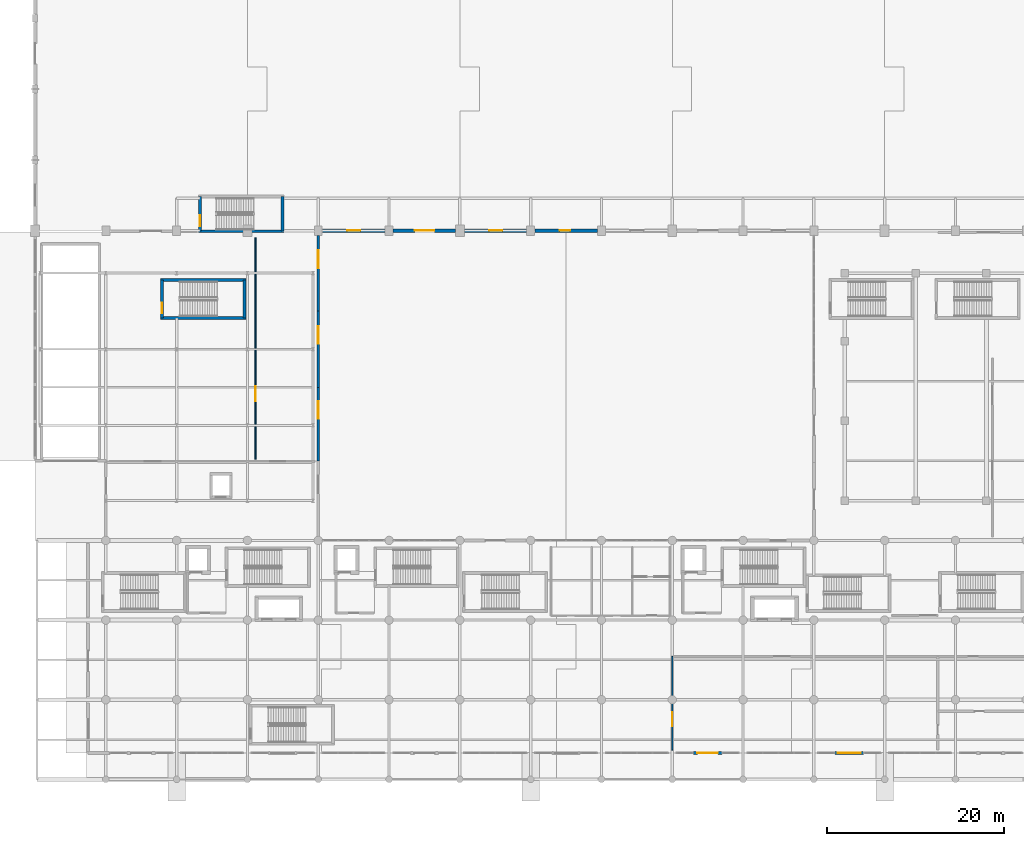
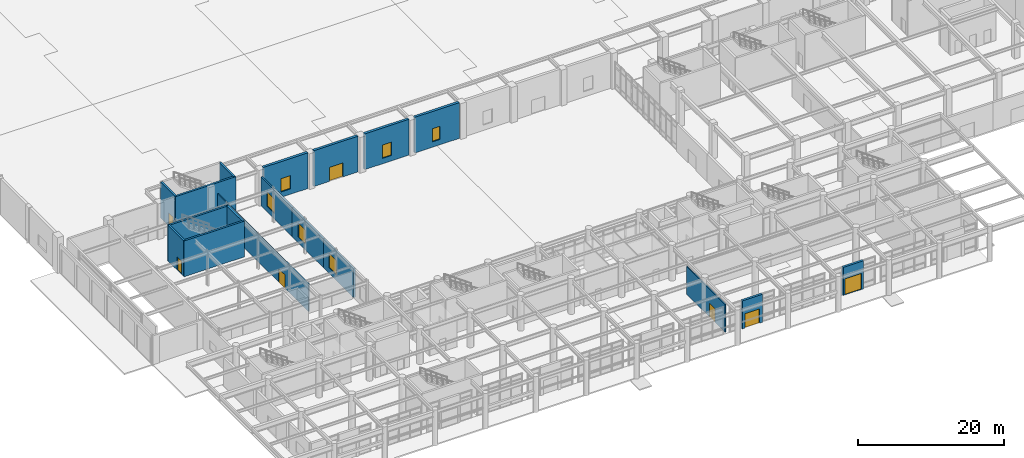
# One storey, part 30 of 49: 18 walls, 7 doors, 6 windows, 13 openings.
"""IFC4 building model written with IfcOpenShell, lengths in metres."""

from ifc_helpers import new_model, si_unit, direction, frame, frame_2d, origin, place, context, subcontext, project, spatial, rectangle, extrude, material, layer, layer_set, type_object, element, fill, save


model = new_model("IFC4")

# Units and contexts
model_context = context("Model", 3, precision=1e-05, world=origin(), true_north=direction((0.0, 1.0)))
body_context = subcontext(model_context, "Body", "Model", "MODEL_VIEW")
ifc_project = project(units=[si_unit("LENGTHUNIT", "METRE"), si_unit("AREAUNIT", "SQUARE_METRE"), si_unit("VOLUMEUNIT", "CUBIC_METRE"), si_unit("PLANEANGLEUNIT", "RADIAN"), si_unit("MASSUNIT", "GRAM", prefix="KILO")], contexts=[model_context])

# Site, building, storey
site_placement = place(None, origin())
site = spatial("IfcSite", under=ifc_project, at=site_placement, CompositionType="ELEMENT")
building_placement = place(site_placement, origin())
building = spatial("IfcBuilding", under=site, at=building_placement, Name="Tlacozan Convention Centre", CompositionType="ELEMENT")
storey_placement = place(building_placement, origin())
storey = spatial("IfcBuildingStorey", under=building, at=storey_placement, Name="L00", CompositionType="ELEMENT", Elevation=0.0)

# Wall, opening, door
ifc_material_1 = material(Name="Volcanic Cantera Stone Masonry", Category="masonry")
ifc_layer_1 = layer(ifc_material_1, 0.35009765625)
ifc_layer_set_1 = layer_set([ifc_layer_1], Name="Volcanic Cantera Stone Masonry")
wall_type_1 = type_object("IfcWallType", Name="Cantera Cavity Facade Wall 350", PredefinedType="SOLIDWALL", material=ifc_layer_set_1)
wall_1_placement = place(storey_placement, frame((74.39990234375, 3.0, 0.0), z_axis=(0.0, 0.0, 1.0), x_axis=(1.0, 0.0, 0.0)))
wall_1 = element("IfcWall", 1, at=wall_1_placement, inside=storey, type_object=wall_type_1, Name="L00 Cantera Cavity Facade Wall 350 99", PredefinedType="SOLIDWALL", context=body_context, shape_type="SweptSolid", body=[
    extrude(rectangle(XDim=3.2001953125, YDim=0.35009765625, at=frame_2d((1.60009765625, 0.0))), origin(), (0.0, 0.0, 1.0), 4.699951171875),
])
opening_1_placement = place(wall_1_placement, frame((0.449951171875, 0.0, 0.0)))
opening_1 = element("IfcOpeningElement", 2, at=opening_1_placement, cuts=wall_1, Name="Opening EX-D1", PredefinedType="OPENING", context=body_context, shape_type="SweptSolid", body=[
    extrude(rectangle(XDim=2.300048828125, YDim=2.39990234375, at=frame_2d((1.14990234375, 1.199951171875))), frame((0.0, 0.18505859375, 0.0), z_axis=(0.0, -1.0, 0.0), x_axis=(1.0, 0.0, 0.0)), (0.0, 0.0, 1.0), 0.3701171875),
])
ifc_material_2 = material(Name="Thermally Broken Anodised Aluminium Door", Category="aluminium")
door_type_1 = type_object("IfcDoorType", Name="Pedestrian Final Exit Double Door 2300x2400", OperationType="DOUBLE_DOOR_SINGLE_SWING", PredefinedType="DOOR", material=ifc_material_2)
door_1_placement = place(opening_1_placement, frame((2.300048828125, 0.0, 0.0), z_axis=(0.0, 0.0, 1.0), x_axis=(-1.0, 0.0, 0.0)))
door_1 = element("IfcDoor", 3, at=door_1_placement, inside=storey, type_object=door_type_1, Name="Main Promenade Entrance E-09", OperationType="DOUBLE_DOOR_SINGLE_SWING", OverallHeight=2.39990234375, OverallWidth=2.300048828125, PredefinedType="DOOR", context=body_context, shape_type="SweptSolid", body=[
    extrude(rectangle(XDim=2.300048828125, YDim=2.39990234375, at=frame_2d((1.14990234375, 1.199951171875))), frame((0.0, 0.02490234375, 0.0), z_axis=(0.0, -1.0, 0.0), x_axis=(1.0, 0.0, 0.0)), (0.0, 0.0, 1.0), 0.050048828125),
])
fill(opening_1, door_1)

wall_2_placement = place(storey_placement, frame((90.39990234375, 3.0, 0.0), z_axis=(0.0, 0.0, 1.0), x_axis=(1.0, 0.0, 0.0)))
wall_2 = element("IfcWall", 4, at=wall_2_placement, inside=storey, type_object=wall_type_1, Name="L00 Cantera Cavity Facade Wall 350 100", PredefinedType="SOLIDWALL", context=body_context, shape_type="SweptSolid", body=[
    extrude(rectangle(XDim=3.2001953125, YDim=0.35009765625, at=frame_2d((1.60009765625, 0.0))), origin(), (0.0, 0.0, 1.0), 4.699951171875),
])
opening_2_placement = place(wall_2_placement, frame((0.300048828125, 0.0, 0.0)))
opening_2 = element("IfcOpeningElement", 5, at=opening_2_placement, cuts=wall_2, Name="Opening EX-D2", PredefinedType="OPENING", context=body_context, shape_type="SweptSolid", body=[
    extrude(rectangle(XDim=2.60009765625, YDim=2.699951171875, at=frame_2d((1.300048828125, 1.35009765625))), frame((0.0, 0.18505859375, 0.0), z_axis=(0.0, -1.0, 0.0), x_axis=(1.0, 0.0, 0.0)), (0.0, 0.0, 1.0), 0.3701171875),
])
door_type_2 = type_object("IfcDoorType", Name="Concourse Main Entrance Double Door 2600x2700", OperationType="DOUBLE_DOOR_SINGLE_SWING", PredefinedType="DOOR", material=ifc_material_2)
door_2_placement = place(opening_2_placement, frame((2.60009765625, 0.0, 0.0), z_axis=(0.0, 0.0, 1.0), x_axis=(-1.0, 0.0, 0.0)))
door_2 = element("IfcDoor", 6, at=door_2_placement, inside=storey, type_object=door_type_2, Name="Main Promenade Entrance E-11", OperationType="DOUBLE_DOOR_SINGLE_SWING", OverallHeight=2.699951171875, OverallWidth=2.60009765625, PredefinedType="DOOR", context=body_context, shape_type="SweptSolid", body=[
    extrude(rectangle(XDim=2.60009765625, YDim=2.699951171875, at=frame_2d((1.300048828125, 1.35009765625))), frame((0.0, 0.02490234375, 0.0), z_axis=(0.0, -1.0, 0.0), x_axis=(1.0, 0.0, 0.0)), (0.0, 0.0, 1.0), 0.050048828125),
])
fill(opening_2, door_2)

# Wall, opening, window
ifc_material_3 = material(Name="Concrete C40/50", Category="concrete")
ifc_layer_2 = layer(ifc_material_3, 0.39990234375)
ifc_layer_set_2 = layer_set([ifc_layer_2], Name="Concrete C40/50")
wall_type_2 = type_object("IfcWallType", Name="Cantera Structural Hall Wall 400", PredefinedType="SOLIDWALL", material=ifc_layer_set_2)
wall_3_placement = place(storey_placement, frame((32.465087890625, 62.0, 0.0), z_axis=(0.0, 0.0, 1.0), x_axis=(1.0, 0.0, 0.0)))
wall_3 = element("IfcWall", 7, at=wall_3_placement, inside=storey, type_object=wall_type_2, Name="L00 Cantera Structural Hall Wall 400 87", PredefinedType="SOLIDWALL", context=body_context, shape_type="SweptSolid", body=[
    extrude(rectangle(XDim=7.06982421875, YDim=0.39990234375, at=frame_2d((3.534912109375, 0.0))), origin(), (0.0, 0.0, 1.0), 6.0),
])
opening_3_placement = place(wall_3_placement, frame((2.800048828125, 0.0, 0.89990234375)))
opening_3 = element("IfcOpeningElement", 8, at=opening_3_placement, cuts=wall_3, Name="Opening WN-09", PredefinedType="OPENING", context=body_context, shape_type="SweptSolid", body=[
    extrude(rectangle(XDim=1.5, YDim=2.25, at=frame_2d((0.75, 1.125))), frame((0.0, 0.2099609375, 0.0), z_axis=(0.0, -1.0, 0.0), x_axis=(1.0, 0.0, 0.0)), (0.0, 0.0, 1.0), 0.419921875),
])
ifc_material_4 = material(Name="Solar Control Double Low-E Argon Glazing", Category="glass")
window_type_1 = type_object("IfcWindowType", Name="Courtyard Wide Slot Window 1500x2250", PartitioningType="SINGLE_PANEL", PredefinedType="WINDOW", material=ifc_material_4)
window_1_placement = place(opening_3_placement, origin())
window_1 = element("IfcWindow", 9, at=window_1_placement, inside=storey, type_object=window_type_1, Name="L00 Courtyard Wide Slot Window 1500x2250 41", OverallHeight=2.25, OverallWidth=1.5, PartitioningType="SINGLE_PANEL", PredefinedType="WINDOW", context=body_context, shape_type="SweptSolid", body=[
    extrude(rectangle(XDim=1.5, YDim=2.25, at=frame_2d((0.75, 1.125))), frame((0.0, 0.030029296875, 0.0), z_axis=(0.0, -1.0, 0.0), x_axis=(1.0, 0.0, 0.0)), (0.0, 0.0, 1.0), 0.06005859375),
])
fill(opening_3, window_1)

# Wall, opening, door
wall_4_placement = place(storey_placement, frame((40.465087890625, 62.0, 0.0), z_axis=(0.0, 0.0, 1.0), x_axis=(1.0, 0.0, 0.0)))
wall_4 = element("IfcWall", 10, at=wall_4_placement, inside=storey, type_object=wall_type_2, Name="L00 Cantera Structural Hall Wall 400 88", PredefinedType="SOLIDWALL", context=body_context, shape_type="SweptSolid", body=[
    extrude(rectangle(XDim=7.02001953125, YDim=0.39990234375, at=frame_2d((3.510009765625, 0.0))), origin(), (0.0, 0.0, 1.0), 6.0),
])
opening_4_placement = place(wall_4_placement, frame((2.449951171875, 0.0, 0.0)))
opening_4 = element("IfcOpeningElement", 11, at=opening_4_placement, cuts=wall_4, Name="Opening EX-D4", PredefinedType="OPENING", context=body_context, shape_type="SweptSolid", body=[
    extrude(rectangle(XDim=2.199951171875, YDim=2.35009765625, at=frame_2d((1.10009765625, 1.175048828125))), frame((0.0, 0.2099609375, 0.0), z_axis=(0.0, -1.0, 0.0), x_axis=(1.0, 0.0, 0.0)), (0.0, 0.0, 1.0), 0.419921875),
])
door_type_3 = type_object("IfcDoorType", Name="Courtyard Cloister Exit Door 2200x2350", OperationType="DOUBLE_DOOR_SINGLE_SWING", PredefinedType="DOOR", material=ifc_material_2)
door_3_placement = place(opening_4_placement, frame((2.199951171875, 0.0, 0.0), z_axis=(0.0, 0.0, 1.0), x_axis=(-1.0, 0.0, 0.0)))
door_3 = element("IfcDoor", 12, at=door_3_placement, inside=storey, type_object=door_type_3, Name="Final Pedestrian Exit EX-15", OperationType="DOUBLE_DOOR_SINGLE_SWING", OverallHeight=2.35009765625, OverallWidth=2.199951171875, PredefinedType="DOOR", context=body_context, shape_type="SweptSolid", body=[
    extrude(rectangle(XDim=2.199951171875, YDim=2.35009765625, at=frame_2d((1.10009765625, 1.175048828125))), frame((0.0, 0.02490234375, 0.0), z_axis=(0.0, -1.0, 0.0), x_axis=(1.0, 0.0, 0.0)), (0.0, 0.0, 1.0), 0.050048828125),
])
fill(opening_4, door_3)

# Wall, opening, window
wall_5_placement = place(storey_placement, frame((48.514892578125, 62.0, 0.0), z_axis=(0.0, 0.0, 1.0), x_axis=(1.0, 0.0, 0.0)))
wall_5 = element("IfcWall", 13, at=wall_5_placement, inside=storey, type_object=wall_type_2, Name="L00 Cantera Structural Hall Wall 400 89", PredefinedType="SOLIDWALL", context=body_context, shape_type="SweptSolid", body=[
    extrude(rectangle(XDim=7.02001953125, YDim=0.39990234375, at=frame_2d((3.510009765625, 0.0))), origin(), (0.0, 0.0, 1.0), 6.0),
])
opening_5_placement = place(wall_5_placement, frame((2.800048828125, 0.0, 0.89990234375)))
opening_5 = element("IfcOpeningElement", 14, at=opening_5_placement, cuts=wall_5, Name="Opening WN-09", PredefinedType="OPENING", context=body_context, shape_type="SweptSolid", body=[
    extrude(rectangle(XDim=1.5, YDim=2.25, at=frame_2d((0.75, 1.125))), frame((0.0, 0.2099609375, 0.0), z_axis=(0.0, -1.0, 0.0), x_axis=(1.0, 0.0, 0.0)), (0.0, 0.0, 1.0), 0.419921875),
])
window_2_placement = place(opening_5_placement, origin())
window_2 = element("IfcWindow", 15, at=window_2_placement, inside=storey, type_object=window_type_1, Name="L00 Courtyard Wide Slot Window 1500x2250 42", OverallHeight=2.25, OverallWidth=1.5, PartitioningType="SINGLE_PANEL", PredefinedType="WINDOW", context=body_context, shape_type="SweptSolid", body=[
    extrude(rectangle(XDim=1.5, YDim=2.25, at=frame_2d((0.75, 1.125))), frame((0.0, 0.030029296875, 0.0), z_axis=(0.0, -1.0, 0.0), x_axis=(1.0, 0.0, 0.0)), (0.0, 0.0, 1.0), 0.06005859375),
])
fill(opening_5, window_2)

wall_6_placement = place(storey_placement, frame((56.465087890625, 62.0, 0.0), z_axis=(0.0, 0.0, 1.0), x_axis=(1.0, 0.0, 0.0)))
wall_6 = element("IfcWall", 16, at=wall_6_placement, inside=storey, type_object=wall_type_2, Name="L00 Cantera Structural Hall Wall 400 90", PredefinedType="SOLIDWALL", context=body_context, shape_type="SweptSolid", body=[
    extrude(rectangle(XDim=7.06982421875, YDim=0.39990234375, at=frame_2d((3.534912109375, 0.0))), origin(), (0.0, 0.0, 1.0), 6.0),
])
opening_6_placement = place(wall_6_placement, frame((2.800048828125, 0.0, 0.89990234375)))
opening_6 = element("IfcOpeningElement", 17, at=opening_6_placement, cuts=wall_6, Name="Opening WN-08", PredefinedType="OPENING", context=body_context, shape_type="SweptSolid", body=[
    extrude(rectangle(XDim=1.199951171875, YDim=2.199951171875, at=frame_2d((0.60009765625, 1.10009765625))), frame((0.0, 0.2099609375, 0.0), z_axis=(0.0, -1.0, 0.0), x_axis=(1.0, 0.0, 0.0)), (0.0, 0.0, 1.0), 0.419921875),
])
window_type_2 = type_object("IfcWindowType", Name="Courtyard Slot Window 1200x2200", PartitioningType="SINGLE_PANEL", PredefinedType="WINDOW", material=ifc_material_4)
window_3_placement = place(opening_6_placement, origin())
window_3 = element("IfcWindow", 18, at=window_3_placement, inside=storey, type_object=window_type_2, Name="L00 Courtyard Slot Window 1200x2200 43", OverallHeight=2.199951171875, OverallWidth=1.199951171875, PartitioningType="SINGLE_PANEL", PredefinedType="WINDOW", context=body_context, shape_type="SweptSolid", body=[
    extrude(rectangle(XDim=1.199951171875, YDim=2.199951171875, at=frame_2d((0.60009765625, 1.10009765625))), frame((0.0, 0.030029296875, 0.0), z_axis=(0.0, -1.0, 0.0), x_axis=(1.0, 0.0, 0.0)), (0.0, 0.0, 1.0), 0.06005859375),
])
fill(opening_6, window_3)

# Wall, opening, door
ifc_material_5 = material(Name="Acoustic Double-Stud Partition Assembly")
ifc_layer_3 = layer(ifc_material_5, 0.159912109375)
ifc_layer_set_3 = layer_set([ifc_layer_3], Name="Acoustic Double-Stud Partition Assembly")
wall_type_3 = type_object("IfcWallType", Name="Meeting Acoustic Partition 160", PredefinedType="PARTITIONING", material=ifc_layer_set_3)
wall_7_placement = place(storey_placement, frame((72.0, 3.300048828125, 0.0), z_axis=(0.0, 0.0, 1.0), x_axis=(0.0, 1.0, 0.0)))
wall_7 = element("IfcWall", 19, at=wall_7_placement, inside=storey, type_object=wall_type_3, Name="L00 Meeting Acoustic Partition 160 572", PredefinedType="PARTITIONING", context=body_context, shape_type="SweptSolid", body=[
    extrude(rectangle(XDim=10.599853515625, YDim=0.159912109375, at=frame_2d((5.2998046875, 0.0))), origin(), (0.0, 0.0, 1.0), 4.64990234375),
])
opening_7_placement = place(wall_7_placement, frame((2.699951171875, 0.0, 0.0)))
opening_7 = element("IfcOpeningElement", 20, at=opening_7_placement, cuts=wall_7, Name="Opening ID-07", PredefinedType="OPENING", context=body_context, shape_type="SweptSolid", body=[
    extrude(rectangle(XDim=1.60009765625, YDim=2.300048828125, at=frame_2d((0.800048828125, 1.14990234375))), frame((0.0, 0.08984375, 0.0), z_axis=(0.0, -1.0, 0.0), x_axis=(1.0, 0.0, 0.0)), (0.0, 0.0, 1.0), 0.179931640625),
])
ifc_material_6 = material(Name="Acoustic Solid-Core Oak Veneer Door")
door_type_4 = type_object("IfcDoorType", Name="Conference Double Door 1600x2300", OperationType="DOUBLE_DOOR_SINGLE_SWING", PredefinedType="DOOR", material=ifc_material_6)
door_4_placement = place(opening_7_placement, origin())
door_4 = element("IfcDoor", 21, at=door_4_placement, inside=storey, type_object=door_type_4, Name="L00 Conference Double Door 1600x2300 158", OperationType="DOUBLE_DOOR_SINGLE_SWING", OverallHeight=2.300048828125, OverallWidth=1.60009765625, PredefinedType="DOOR", context=body_context, shape_type="SweptSolid", body=[
    extrude(rectangle(XDim=1.60009765625, YDim=2.300048828125, at=frame_2d((0.800048828125, 1.14990234375))), frame((0.0, 0.02490234375, 0.0), z_axis=(0.0, -1.0, 0.0), x_axis=(1.0, 0.0, 0.0)), (0.0, 0.0, 1.0), 0.050048828125),
])
fill(opening_7, door_4)

# Wall, opening, window
ifc_material_7 = material(Name="Pale Lime-Render Masonry Assembly", Category="masonry")
ifc_layer_4 = layer(ifc_material_7, 0.280029296875)
ifc_layer_set_4 = layer_set([ifc_layer_4], Name="Pale Lime-Render Masonry Assembly")
wall_type_4 = type_object("IfcWallType", Name="Pale-Render Service Wing Wall 280", PredefinedType="SOLIDWALL", material=ifc_layer_set_4)
wall_8_placement = place(storey_placement, frame((32.0, 36.0, 0.0), z_axis=(0.0, 0.0, 1.0), x_axis=(0.0, 1.0, 0.0)))
wall_8 = element("IfcWall", 22, at=wall_8_placement, inside=storey, type_object=wall_type_4, Name="L00 Pale-Render Service Wing Wall 280 203", PredefinedType="SOLIDWALL", context=body_context, shape_type="SweptSolid", body=[
    extrude(rectangle(XDim=8.300048828125, YDim=0.280029296875, at=frame_2d((4.14990234375, 0.0))), origin(), (0.0, 0.0, 1.0), 4.85009765625),
])
opening_8_placement = place(wall_8_placement, frame((4.75, 0.0, 0.949951171875)))
opening_8 = element("IfcOpeningElement", 23, at=opening_8_placement, cuts=wall_8, Name="Opening WN-25", PredefinedType="OPENING", context=body_context, shape_type="SweptSolid", body=[
    extrude(rectangle(XDim=2.0, YDim=2.39990234375, at=frame_2d((1.0, 1.199951171875))), frame((0.0, 0.14990234375, 0.0), z_axis=(0.0, -1.0, 0.0), x_axis=(1.0, 0.0, 0.0)), (0.0, 0.0, 1.0), 0.300048828125),
])
window_type_3 = type_object("IfcWindowType", Name="Ballroom Gallery Window 2000x2400", PartitioningType="SINGLE_PANEL", PredefinedType="WINDOW", material=ifc_material_4)
window_4_placement = place(opening_8_placement, origin())
window_4 = element("IfcWindow", 24, at=window_4_placement, inside=storey, type_object=window_type_3, Name="L00 Ballroom Gallery Window 2000x2400 69", OverallHeight=2.39990234375, OverallWidth=2.0, PartitioningType="SINGLE_PANEL", PredefinedType="WINDOW", context=body_context, shape_type="SweptSolid", body=[
    extrude(rectangle(XDim=2.0, YDim=2.39990234375, at=frame_2d((1.0, 1.199951171875))), frame((0.0, 0.030029296875, 0.0), z_axis=(0.0, -1.0, 0.0), x_axis=(1.0, 0.0, 0.0)), (0.0, 0.0, 1.0), 0.06005859375),
])
fill(opening_8, window_4)

wall_9_placement = place(storey_placement, frame((32.0, 44.300048828125, 0.0), z_axis=(0.0, 0.0, 1.0), x_axis=(0.0, 1.0, 0.0)))
wall_9 = element("IfcWall", 25, at=wall_9_placement, inside=storey, type_object=wall_type_4, Name="L00 Pale-Render Service Wing Wall 280 205", PredefinedType="SOLIDWALL", context=body_context, shape_type="SweptSolid", body=[
    extrude(rectangle(XDim=8.599853515625, YDim=0.280029296875, at=frame_2d((4.2998046875, 0.0))), origin(), (0.0, 0.0, 1.0), 4.85009765625),
])
opening_9_placement = place(wall_9_placement, frame((4.89990234375, 0.0, 0.949951171875)))
opening_9 = element("IfcOpeningElement", 26, at=opening_9_placement, cuts=wall_9, Name="Opening WN-25", PredefinedType="OPENING", context=body_context, shape_type="SweptSolid", body=[
    extrude(rectangle(XDim=2.0, YDim=2.39990234375, at=frame_2d((1.0, 1.199951171875))), frame((0.0, 0.14990234375, 0.0), z_axis=(0.0, -1.0, 0.0), x_axis=(1.0, 0.0, 0.0)), (0.0, 0.0, 1.0), 0.300048828125),
])
window_5_placement = place(opening_9_placement, origin())
window_5 = element("IfcWindow", 27, at=window_5_placement, inside=storey, type_object=window_type_3, Name="L00 Ballroom Gallery Window 2000x2400 71", OverallHeight=2.39990234375, OverallWidth=2.0, PartitioningType="SINGLE_PANEL", PredefinedType="WINDOW", context=body_context, shape_type="SweptSolid", body=[
    extrude(rectangle(XDim=2.0, YDim=2.39990234375, at=frame_2d((1.0, 1.199951171875))), frame((0.0, 0.030029296875, 0.0), z_axis=(0.0, -1.0, 0.0), x_axis=(1.0, 0.0, 0.0)), (0.0, 0.0, 1.0), 0.06005859375),
])
fill(opening_9, window_5)

wall_10_placement = place(storey_placement, frame((32.0, 52.89990234375, 0.0), z_axis=(0.0, 0.0, 1.0), x_axis=(0.0, 1.0, 0.0)))
wall_10 = element("IfcWall", 28, at=wall_10_placement, inside=storey, type_object=wall_type_4, Name="L00 Pale-Render Service Wing Wall 280 207", PredefinedType="SOLIDWALL", context=body_context, shape_type="SweptSolid", body=[
    extrude(rectangle(XDim=8.550048828125, YDim=0.280029296875, at=frame_2d((4.27490234375, 0.0))), origin(), (0.0, 0.0, 1.0), 4.85009765625),
])
opening_10_placement = place(wall_10_placement, frame((4.875, 0.0, 0.949951171875)))
opening_10 = element("IfcOpeningElement", 29, at=opening_10_placement, cuts=wall_10, Name="Opening WN-25", PredefinedType="OPENING", context=body_context, shape_type="SweptSolid", body=[
    extrude(rectangle(XDim=2.0, YDim=2.39990234375, at=frame_2d((1.0, 1.199951171875))), frame((0.0, 0.14990234375, 0.0), z_axis=(0.0, -1.0, 0.0), x_axis=(1.0, 0.0, 0.0)), (0.0, 0.0, 1.0), 0.300048828125),
])
window_6_placement = place(opening_10_placement, origin())
window_6 = element("IfcWindow", 30, at=window_6_placement, inside=storey, type_object=window_type_3, Name="L00 Ballroom Gallery Window 2000x2400 73", OverallHeight=2.39990234375, OverallWidth=2.0, PartitioningType="SINGLE_PANEL", PredefinedType="WINDOW", context=body_context, shape_type="SweptSolid", body=[
    extrude(rectangle(XDim=2.0, YDim=2.39990234375, at=frame_2d((1.0, 1.199951171875))), frame((0.0, 0.030029296875, 0.0), z_axis=(0.0, -1.0, 0.0), x_axis=(1.0, 0.0, 0.0)), (0.0, 0.0, 1.0), 0.06005859375),
])
fill(opening_10, window_6)

# Walls
ifc_layer_5 = layer(ifc_material_3, 0.31005859375)
ifc_layer_set_5 = layer_set([ifc_layer_5], Name="Concrete C40/50")
wall_type_5 = type_object("IfcWallType", Name="Stair Shaft Shear Wall RC 310", PredefinedType="SHEAR", material=ifc_layer_set_5)
for number, where, z_axis, x_axis, name in (
    (31, (14.18505859375, 52.139892578125, 0.0), (0.0, 0.0, 1.0), (1.0, 0.0, 0.0), "L00 Stair Shaft Shear Wall RC 310 473"),
    (32, (14.18505859375, 56.419921875, 0.0), (0.0, 0.0, 1.0), (1.0, 0.0, 0.0), "L00 Stair Shaft Shear Wall RC 310 474"),
):
    element("IfcWall", number, at=place(storey_placement, frame(where, z_axis=z_axis, x_axis=x_axis)), inside=storey, type_object=wall_type_5, Name=name, PredefinedType="SHEAR", context=body_context, shape_type="SweptSolid", body=[
        extrude(rectangle(XDim=9.6298828125, YDim=0.31005859375, at=frame_2d((4.81494140625, 0.0))), origin(), (0.0, 0.0, 1.0), 6.0),
    ])

# Wall, opening, door
wall_11_placement = place(storey_placement, frame((14.340087890625, 52.139892578125, 0.0), z_axis=(0.0, 0.0, 1.0), x_axis=(0.0, 1.0, 0.0)))
wall_11 = element("IfcWall", 33, at=wall_11_placement, inside=storey, type_object=wall_type_5, Name="L00 Stair Shaft Shear Wall RC 310 475", PredefinedType="SHEAR", context=body_context, shape_type="SweptSolid", body=[
    extrude(rectangle(XDim=4.280029296875, YDim=0.31005859375, at=frame_2d((2.14013671875, 0.0))), origin(), (0.0, 0.0, 1.0), 6.0),
])
opening_11_placement = place(wall_11_placement, frame((0.550048828125, 0.0, 0.0)))
opening_11 = element("IfcOpeningElement", 34, at=opening_11_placement, cuts=wall_11, Name="Opening FD-02", PredefinedType="OPENING", context=body_context, shape_type="SweptSolid", body=[
    extrude(rectangle(XDim=1.14990234375, YDim=2.199951171875, at=frame_2d((0.574951171875, 1.10009765625))), frame((0.0, 0.1650390625, 0.0), z_axis=(0.0, -1.0, 0.0), x_axis=(1.0, 0.0, 0.0)), (0.0, 0.0, 1.0), 0.330078125),
])
ifc_material_8 = material(Name="Fire-Rated Insulated Steel Door Leaf", Category="steel")
door_type_5 = type_object("IfcDoorType", Name="Fire Door Stair 1150x2200 FD90", OperationType="NOTDEFINED", PredefinedType="DOOR", material=ifc_material_8)
door_5_placement = place(opening_11_placement, origin())
door_5 = element("IfcDoor", 35, at=door_5_placement, inside=storey, type_object=door_type_5, Name="L00 Stair ST-09 Access Door", OperationType="SINGLE_SWING_LEFT", OverallHeight=2.199951171875, OverallWidth=1.14990234375, PredefinedType="DOOR", context=body_context, shape_type="SweptSolid", body=[
    extrude(rectangle(XDim=1.14990234375, YDim=2.199951171875, at=frame_2d((0.574951171875, 1.10009765625))), frame((0.0, 0.02490234375, 0.0), z_axis=(0.0, -1.0, 0.0), x_axis=(1.0, 0.0, 0.0)), (0.0, 0.0, 1.0), 0.050048828125),
])
fill(opening_11, door_5)

# Walls
wall_12_placement = place(storey_placement, frame((23.659912109375, 52.139892578125, 0.0), z_axis=(0.0, 0.0, 1.0), x_axis=(0.0, 1.0, 0.0)))
element("IfcWall", 36, at=wall_12_placement, inside=storey, type_object=wall_type_5, Name="L00 Stair Shaft Shear Wall RC 310 476", PredefinedType="SHEAR", context=body_context, shape_type="SweptSolid", body=[
    extrude(rectangle(XDim=4.280029296875, YDim=0.31005859375, at=frame_2d((2.14013671875, 0.0))), origin(), (0.0, 0.0, 1.0), 6.0),
])
wall_13_placement = place(storey_placement, frame((18.485107421875, 61.93994140625, 0.0), z_axis=(0.0, 0.0, 1.0), x_axis=(1.0, 0.0, 0.0)))
element("IfcWall", 37, at=wall_13_placement, inside=storey, type_object=wall_type_5, Name="L00 Stair Shaft Shear Wall RC 310 485", PredefinedType="SHEAR", context=body_context, shape_type="SweptSolid", body=[
    extrude(rectangle(XDim=9.6298828125, YDim=0.31005859375, at=frame_2d((4.81494140625, 0.0))), origin(), (0.0, 0.0, 1.0), 6.0),
])

# Wall, opening, door
wall_14_placement = place(storey_placement, frame((18.639892578125, 61.93994140625, 0.0), z_axis=(0.0, 0.0, 1.0), x_axis=(0.0, 1.0, 0.0)))
wall_14 = element("IfcWall", 38, at=wall_14_placement, inside=storey, type_object=wall_type_5, Name="L00 Stair Shaft Shear Wall RC 310 487", PredefinedType="SHEAR", context=body_context, shape_type="SweptSolid", body=[
    extrude(rectangle(XDim=3.920166015625, YDim=0.31005859375, at=frame_2d((1.9599609375, 0.0))), origin(), (0.0, 0.0, 1.0), 6.0),
])
opening_12_placement = place(wall_14_placement, frame((0.550048828125, 0.0, 0.0)))
opening_12 = element("IfcOpeningElement", 39, at=opening_12_placement, cuts=wall_14, Name="Opening FD-05", PredefinedType="OPENING", context=body_context, shape_type="SweptSolid", body=[
    extrude(rectangle(XDim=1.25, YDim=2.199951171875, at=frame_2d((0.625, 1.10009765625))), frame((0.0, 0.1650390625, 0.0), z_axis=(0.0, -1.0, 0.0), x_axis=(1.0, 0.0, 0.0)), (0.0, 0.0, 1.0), 0.330078125),
])
door_type_6 = type_object("IfcDoorType", Name="Fire Door Wide Stair 1250x2200 FD90", OperationType="NOTDEFINED", PredefinedType="DOOR", material=ifc_material_8)
door_6_placement = place(opening_12_placement, origin())
door_6 = element("IfcDoor", 40, at=door_6_placement, inside=storey, type_object=door_type_6, Name="L00 Stair ST-10 Access Door", OperationType="SINGLE_SWING_RIGHT", OverallHeight=2.199951171875, OverallWidth=1.25, PredefinedType="DOOR", context=body_context, shape_type="SweptSolid", body=[
    extrude(rectangle(XDim=1.25, YDim=2.199951171875, at=frame_2d((0.625, 1.10009765625))), frame((0.0, 0.02490234375, 0.0), z_axis=(0.0, -1.0, 0.0), x_axis=(1.0, 0.0, 0.0)), (0.0, 0.0, 1.0), 0.050048828125),
])
fill(opening_12, door_6)

# Wall
wall_15_placement = place(storey_placement, frame((27.9599609375, 61.93994140625, 0.0), z_axis=(0.0, 0.0, 1.0), x_axis=(0.0, 1.0, 0.0)))
element("IfcWall", 41, at=wall_15_placement, inside=storey, type_object=wall_type_5, Name="L00 Stair Shaft Shear Wall RC 310 488", PredefinedType="SHEAR", context=body_context, shape_type="SweptSolid", body=[
    extrude(rectangle(XDim=3.920166015625, YDim=0.31005859375, at=frame_2d((1.9599609375, 0.0))), origin(), (0.0, 0.0, 1.0), 6.0),
])

# Wall, opening, door
ifc_layer_6 = layer(ifc_material_5, 0.139892578125)
ifc_layer_set_6 = layer_set([ifc_layer_6], Name="Acoustic Double-Stud Partition Assembly")
wall_type_6 = type_object("IfcWallType", Name="Suite Partition Wall 140", PredefinedType="PARTITIONING", material=ifc_layer_set_6)
wall_16_placement = place(storey_placement, frame((24.89990234375, 36.199951171875, 0.0), z_axis=(0.0, 0.0, 1.0), x_axis=(0.0, 1.0, 0.0)))
wall_16 = element("IfcWall", 42, at=wall_16_placement, inside=storey, type_object=wall_type_6, Name="L00 Suite Partition Wall 140 584", PredefinedType="PARTITIONING", context=body_context, shape_type="SweptSolid", body=[
    extrude(rectangle(XDim=25.0, YDim=0.139892578125, at=frame_2d((12.5, 0.0))), origin(), (0.0, 0.0, 1.0), 4.64990234375),
])
opening_13_placement = place(wall_16_placement, frame((6.5, 0.0, 0.0)))
opening_13 = element("IfcOpeningElement", 43, at=opening_13_placement, cuts=wall_16, Name="Opening ID-11", PredefinedType="OPENING", context=body_context, shape_type="SweptSolid", body=[
    extrude(rectangle(XDim=1.699951171875, YDim=2.25, at=frame_2d((0.85009765625, 1.125))), frame((0.0, 0.079833984375, 0.0), z_axis=(0.0, -1.0, 0.0), x_axis=(1.0, 0.0, 0.0)), (0.0, 0.0, 1.0), 0.159912109375),
])
door_type_7 = type_object("IfcDoorType", Name="Banquet Kitchen Double Swing Door 1700x2250", OperationType="DOUBLE_SWING_LEFT", PredefinedType="DOOR", material=ifc_material_6)
door_7_placement = place(opening_13_placement, origin())
door_7 = element("IfcDoor", 44, at=door_7_placement, inside=storey, type_object=door_type_7, Name="L00 Banquet Kitchen Double Swing Door 1700x2250 176", OperationType="DOUBLE_SWING_LEFT", OverallHeight=2.25, OverallWidth=1.699951171875, PredefinedType="DOOR", context=body_context, shape_type="SweptSolid", body=[
    extrude(rectangle(XDim=1.699951171875, YDim=2.25, at=frame_2d((0.85009765625, 1.125))), frame((0.0, 0.02490234375, 0.0), z_axis=(0.0, -1.0, 0.0), x_axis=(1.0, 0.0, 0.0)), (0.0, 0.0, 1.0), 0.050048828125),
])
fill(opening_13, door_7)

save(model, "model.ifc")
